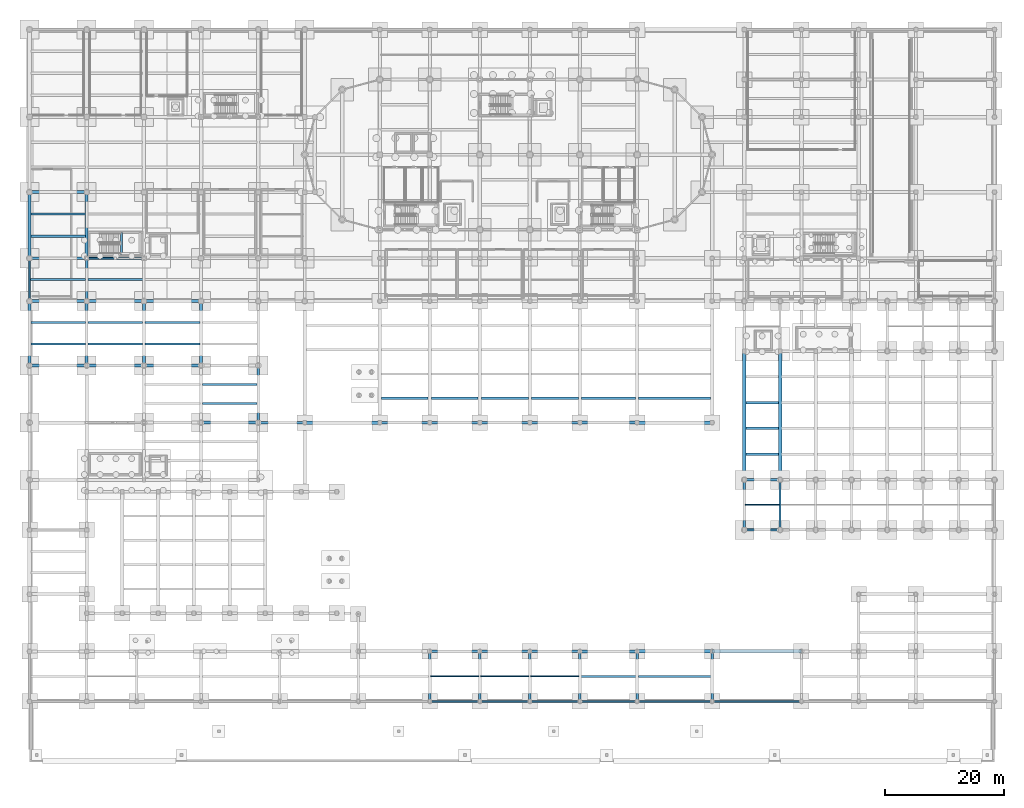
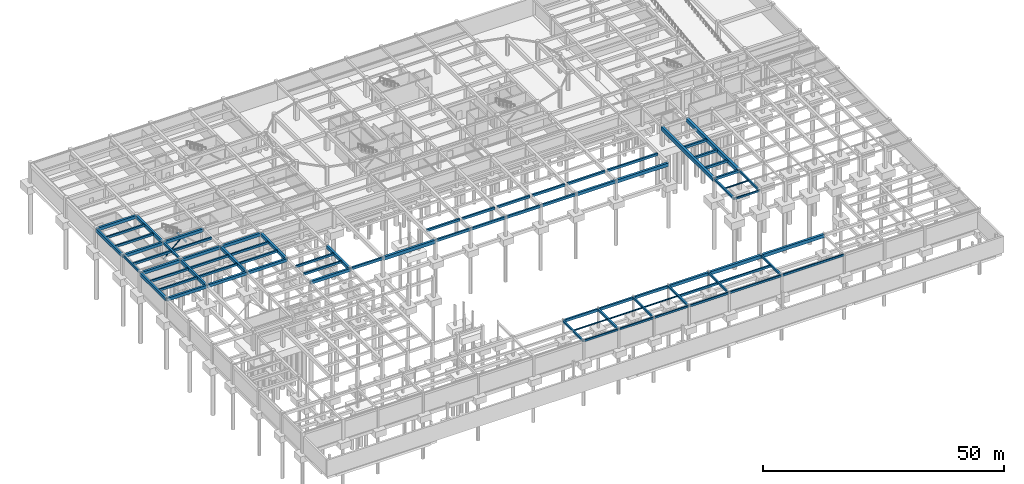
# One storey, part 14 of 37: 79 beams, 1 member.
"""IFC4 building model written with IfcOpenShell, lengths in metres."""

from ifc_helpers import new_model, si_unit, direction, frame, origin, origin_2d, place, context, subcontext, project, spatial, rectangle, hollow_rectangle, i_section, extrude, material, material_profile, profile_set, type_object, element, save


model = new_model("IFC4")

# Units and contexts
model_context = context("Model", 3, precision=1e-05, world=origin(), true_north=direction((0.0, 1.0)))
body_context = subcontext(model_context, "Body", "Model", "MODEL_VIEW")
ifc_project = project(units=[si_unit("LENGTHUNIT", "METRE"), si_unit("AREAUNIT", "SQUARE_METRE"), si_unit("VOLUMEUNIT", "CUBIC_METRE"), si_unit("PLANEANGLEUNIT", "RADIAN"), si_unit("MASSUNIT", "GRAM", prefix="KILO")], contexts=[model_context])

# Site, building, storey
site_placement = place(None, origin())
site = spatial("IfcSite", under=ifc_project, at=site_placement, CompositionType="ELEMENT")
building_placement = place(site_placement, origin())
building = spatial("IfcBuilding", under=site, at=building_placement, Name="Tarnavel Promenade Courthouse", CompositionType="ELEMENT")
storey_placement = place(building_placement, frame((0.0, 0.0, -4.800048828125)))
storey = spatial("IfcBuildingStorey", under=building, at=storey_placement, Name="B01", CompositionType="ELEMENT", Elevation=-4.800048828125)

# Beams
ifc_material_1 = material(Name="Concrete C40/50", Category="concrete")
ifc_material_profile_1 = material_profile(ifc_material_1, rectangle(XDim=0.35009765625, YDim=0.550048828125, at=origin_2d()), Name="PT 350x550")
ifc_profile_set_1 = profile_set([ifc_material_profile_1], Name="Concrete C40/50")
beam_type_1 = type_object("IfcBeamType", Name="Concrete C40/50 BM-PT-350x550 (PT 350x550)", PredefinedType="JOIST", material=ifc_profile_set_1)
beam_1_placement = place(storey_placement, frame((92.570068359375, 4.199951171875, 4.195068359375), z_axis=(1.0, 0.0, 0.0), x_axis=(0.0, 1.0, 0.0)))
element("IfcBeam", 1, at=beam_1_placement, inside=storey, type_object=beam_type_1, Name="B01 Secondary Floor Rib 0363", PredefinedType="JOIST", context=body_context, shape_type="SweptSolid", body=[
    extrude(rectangle(XDim=0.35009765625, YDim=0.550048828125, at=origin_2d()), origin(), (0.0, 0.0, 1.0), 9.260009765625),
])
beam_2_placement = place(storey_placement, frame((102.169921875, 4.199951171875, 4.195068359375), z_axis=(1.0, 0.0, 0.0), x_axis=(0.0, 1.0, 0.0)))
element("IfcBeam", 2, at=beam_2_placement, inside=storey, type_object=beam_type_1, Name="B01 Secondary Floor Rib 0364", PredefinedType="JOIST", context=body_context, shape_type="SweptSolid", body=[
    extrude(rectangle(XDim=0.35009765625, YDim=0.550048828125, at=origin_2d()), origin(), (0.0, 0.0, 1.0), 12.260009765625),
])
for number, where, z_axis, x_axis, name in (
    (3, (29.02001953125, 50.0, 4.179931640625), (1.0, 0.0, 0.0), (0.0, 1.0, 0.0), "B01 Secondary Floor Rib 0387"),
    (4, (29.02001953125, 53.199951171875, 4.179931640625), (1.0, 0.0, 0.0), (0.0, 1.0, 0.0), "B01 Secondary Floor Rib 0388"),
    (5, (0.219970703125, 60.0, 4.179931640625), (1.0, 0.0, 0.0), (0.0, 1.0, 0.0), "B01 Secondary Floor Rib 0389"),
    (6, (0.219970703125, 63.60009765625, 4.179931640625), (1.0, 0.0, 0.0), (0.0, 1.0, 0.0), "B01 Secondary Floor Rib 0390"),
    (7, (9.820068359375, 60.0, 4.179931640625), (1.0, 0.0, 0.0), (0.0, 1.0, 0.0), "B01 Secondary Floor Rib 0391"),
    (8, (9.820068359375, 63.60009765625, 4.179931640625), (1.0, 0.0, 0.0), (0.0, 1.0, 0.0), "B01 Secondary Floor Rib 0392"),
):
    element("IfcBeam", number, at=place(storey_placement, frame(where, z_axis=z_axis, x_axis=x_axis)), inside=storey, type_object=beam_type_1, Name=name, PredefinedType="JOIST", context=body_context, shape_type="SweptSolid", body=[
        extrude(rectangle(XDim=0.35009765625, YDim=0.550048828125, at=origin_2d()), origin(), (0.0, 0.0, 1.0), 9.159912109375),
    ])
for number, where, z_axis, x_axis, name in (
    (9, (19.419921875, 60.0, 4.179931640625), (1.0, 0.0, 0.0), (0.0, 1.0, 0.0), "B01 Secondary Floor Rib 0393"),
    (10, (19.419921875, 63.60009765625, 4.179931640625), (1.0, 0.0, 0.0), (0.0, 1.0, 0.0), "B01 Secondary Floor Rib 0394"),
):
    element("IfcBeam", number, at=place(storey_placement, frame(where, z_axis=z_axis, x_axis=x_axis)), inside=storey, type_object=beam_type_1, Name=name, PredefinedType="JOIST", context=body_context, shape_type="SweptSolid", body=[
        extrude(rectangle(XDim=0.35009765625, YDim=0.550048828125, at=origin_2d()), origin(), (0.0, 0.0, 1.0), 9.16015625),
    ])
beam_3_placement = place(storey_placement, frame((0.1201171875, 70.800048828125, 4.239990234375), z_axis=(1.0, 0.0, 0.0), x_axis=(0.0, 1.0, 0.0)))
element("IfcBeam", 11, at=beam_3_placement, inside=storey, type_object=beam_type_1, Name="B01 Secondary Floor Rib 0397", PredefinedType="JOIST", context=body_context, shape_type="SweptSolid", body=[
    extrude(rectangle(XDim=0.35009765625, YDim=0.550048828125, at=origin_2d()), origin(), (0.0, 0.0, 1.0), 9.309814453125),
])
beam_4_placement = place(storey_placement, frame((9.77001953125, 70.800048828125, 4.239990234375), z_axis=(1.0, 0.0, 0.0), x_axis=(0.0, 1.0, 0.0)))
element("IfcBeam", 12, at=beam_4_placement, inside=storey, type_object=beam_type_1, Name="B01 Secondary Floor Rib 0398", PredefinedType="JOIST", context=body_context, shape_type="SweptSolid", body=[
    extrude(rectangle(XDim=0.35009765625, YDim=0.550048828125, at=origin_2d()), origin(), (0.0, 0.0, 1.0), 9.260009765625),
])
for number, where, z_axis, x_axis, name in (
    (13, (0.219970703125, 78.10009765625, 4.239990234375), (1.0, 0.0, 0.0), (0.0, 1.0, 0.0), "B01 Secondary Floor Rib 0414"),
    (14, (0.219970703125, 81.800048828125, 4.239990234375), (1.0, 0.0, 0.0), (0.0, 1.0, 0.0), "B01 Secondary Floor Rib 0415"),
):
    element("IfcBeam", number, at=place(storey_placement, frame(where, z_axis=z_axis, x_axis=x_axis)), inside=storey, type_object=beam_type_1, Name=name, PredefinedType="JOIST", context=body_context, shape_type="SweptSolid", body=[
        extrude(rectangle(XDim=0.35009765625, YDim=0.550048828125, at=origin_2d()), origin(), (0.0, 0.0, 1.0), 9.159912109375),
    ])
ifc_material_profile_2 = material_profile(ifc_material_1, rectangle(XDim=0.39990234375, YDim=0.60009765625, at=origin_2d()), Name="PT 400x600")
ifc_profile_set_2 = profile_set([ifc_material_profile_2], Name="Concrete C40/50")
beam_type_2 = type_object("IfcBeamType", Name="Concrete C40/50 BM-PT-400x600 (PT 400x600)", PredefinedType="JOIST", material=ifc_profile_set_2)
beam_5_placement = place(storey_placement, frame((59.070068359375, 50.8798828125, 4.215087890625), z_axis=(1.0, 0.0, 0.0), x_axis=(0.0, 1.0, 0.0)))
element("IfcBeam", 15, at=beam_5_placement, inside=storey, type_object=beam_type_2, Name="B01 Secondary Floor Rib 0472", PredefinedType="JOIST", context=body_context, shape_type="SweptSolid", body=[
    extrude(rectangle(XDim=0.39990234375, YDim=0.60009765625, at=origin_2d()), origin(), (0.0, 0.0, 1.0), 7.85986328125),
])
beam_6_placement = place(storey_placement, frame((67.469970703125, 50.8798828125, 4.215087890625), z_axis=(1.0, 0.0, 0.0), x_axis=(0.0, 1.0, 0.0)))
element("IfcBeam", 16, at=beam_6_placement, inside=storey, type_object=beam_type_2, Name="B01 Secondary Floor Rib 0476", PredefinedType="JOIST", context=body_context, shape_type="SweptSolid", body=[
    extrude(rectangle(XDim=0.39990234375, YDim=0.60009765625, at=origin_2d()), origin(), (0.0, 0.0, 1.0), 7.860107421875),
])
for number, where, z_axis, x_axis, name in (
    (17, (75.8701171875, 50.8798828125, 4.215087890625), (1.0, 0.0, 0.0), (0.0, 1.0, 0.0), "B01 Secondary Floor Rib 0480"),
    (18, (84.27001953125, 50.8798828125, 4.215087890625), (1.0, 0.0, 0.0), (0.0, 1.0, 0.0), "B01 Secondary Floor Rib 0484"),
):
    element("IfcBeam", number, at=place(storey_placement, frame(where, z_axis=z_axis, x_axis=x_axis)), inside=storey, type_object=beam_type_2, Name=name, PredefinedType="JOIST", context=body_context, shape_type="SweptSolid", body=[
        extrude(rectangle(XDim=0.39990234375, YDim=0.60009765625, at=origin_2d()), origin(), (0.0, 0.0, 1.0), 7.85986328125),
    ])
beam_7_placement = place(storey_placement, frame((92.669921875, 50.8798828125, 4.215087890625), z_axis=(1.0, 0.0, 0.0), x_axis=(0.0, 1.0, 0.0)))
element("IfcBeam", 19, at=beam_7_placement, inside=storey, type_object=beam_type_2, Name="B01 Secondary Floor Rib 0488", PredefinedType="JOIST", context=body_context, shape_type="SweptSolid", body=[
    extrude(rectangle(XDim=0.39990234375, YDim=0.60009765625, at=origin_2d()), origin(), (0.0, 0.0, 1.0), 9.06005859375),
])
beam_8_placement = place(storey_placement, frame((102.27001953125, 50.8798828125, 4.215087890625), z_axis=(1.0, 0.0, 0.0), x_axis=(0.0, 1.0, 0.0)))
element("IfcBeam", 20, at=beam_8_placement, inside=storey, type_object=beam_type_2, Name="B01 Secondary Floor Rib 0492", PredefinedType="JOIST", context=body_context, shape_type="SweptSolid", body=[
    extrude(rectangle(XDim=0.39990234375, YDim=0.60009765625, at=origin_2d()), origin(), (0.0, 0.0, 1.0), 12.06005859375),
])
for number, where, z_axis, x_axis, name in (
    (21, (120.27001953125, 41.52001953125, 4.215087890625), (1.0, 0.0, 0.0), (0.0, 1.0, 0.0), "B01 Secondary Floor Rib 0512"),
    (22, (120.27001953125, 45.840087890625, 4.215087890625), (1.0, 0.0, 0.0), (0.0, 1.0, 0.0), "B01 Secondary Floor Rib 0513"),
    (23, (120.27001953125, 50.159912109375, 4.215087890625), (1.0, 0.0, 0.0), (0.0, 1.0, 0.0), "B01 Secondary Floor Rib 0514"),
):
    element("IfcBeam", number, at=place(storey_placement, frame(where, z_axis=z_axis, x_axis=x_axis)), inside=storey, type_object=beam_type_2, Name=name, PredefinedType="JOIST", context=body_context, shape_type="SweptSolid", body=[
        extrude(rectangle(XDim=0.39990234375, YDim=0.60009765625, at=origin_2d()), origin(), (0.0, 0.0, 1.0), 5.4599609375),
    ])
ifc_material_profile_3 = material_profile(ifc_material_1, rectangle(XDim=0.5, YDim=0.800048828125, at=origin_2d()), Name="PT 500x800")
ifc_profile_set_3 = profile_set([ifc_material_profile_3], Name="Concrete C40/50")
beam_type_3 = type_object("IfcBeamType", Name="Concrete C40/50 BM-PT-500x800 (PT 500x800)", PredefinedType="T_BEAM", material=ifc_profile_set_3)
beam_9_placement = place(storey_placement, frame((0.0, 56.39990234375, 4.054931640625), z_axis=(0.0, 1.0, 0.0), x_axis=(-1.0, 0.0, 0.0)))
element("IfcBeam", 24, at=beam_9_placement, inside=storey, type_object=beam_type_3, Name="B01 Transverse Girder 0193", PredefinedType="T_BEAM", context=body_context, shape_type="SweptSolid", body=[
    extrude(rectangle(XDim=0.5, YDim=0.800048828125, at=origin_2d()), origin(), (0.0, 0.0, 1.0), 10.800048828125),
])
beam_10_placement = place(storey_placement, frame((0.0, 74.39990234375, 4.114990234375), z_axis=(0.0, 1.0, 0.0), x_axis=(-1.0, 0.0, 0.0)))
element("IfcBeam", 25, at=beam_10_placement, inside=storey, type_object=beam_type_3, Name="B01 Transverse Girder 0195", PredefinedType="T_BEAM", context=body_context, shape_type="SweptSolid", body=[
    extrude(rectangle(XDim=0.5, YDim=0.800048828125, at=origin_2d()), origin(), (0.0, 0.0, 1.0), 11.10009765625),
])
beam_11_placement = place(storey_placement, frame((9.60009765625, 56.39990234375, 4.054931640625), z_axis=(0.0, 1.0, 0.0), x_axis=(-1.0, 0.0, 0.0)))
element("IfcBeam", 26, at=beam_11_placement, inside=storey, type_object=beam_type_3, Name="B01 Transverse Girder 0205", PredefinedType="T_BEAM", context=body_context, shape_type="SweptSolid", body=[
    extrude(rectangle(XDim=0.5, YDim=0.800048828125, at=origin_2d()), origin(), (0.0, 0.0, 1.0), 10.800048828125),
])
beam_12_placement = place(storey_placement, frame((9.60009765625, 74.39990234375, 4.114990234375), z_axis=(0.0, 1.0, 0.0), x_axis=(-1.0, 0.0, 0.0)))
element("IfcBeam", 27, at=beam_12_placement, inside=storey, type_object=beam_type_3, Name="B01 Transverse Girder 0207", PredefinedType="T_BEAM", context=body_context, shape_type="SweptSolid", body=[
    extrude(rectangle(XDim=0.5, YDim=0.800048828125, at=origin_2d()), origin(), (0.0, 0.0, 1.0), 11.10009765625),
])
for number, where, z_axis, x_axis, name in (
    (28, (19.199951171875, 56.39990234375, 4.054931640625), (0.0, 1.0, 0.0), (-1.0, 0.0, 0.0), "B01 Transverse Girder 0214"),
    (29, (28.800048828125, 56.39990234375, 4.054931640625), (0.0, 1.0, 0.0), (-1.0, 0.0, 0.0), "B01 Transverse Girder 0224"),
):
    element("IfcBeam", number, at=place(storey_placement, frame(where, z_axis=z_axis, x_axis=x_axis)), inside=storey, type_object=beam_type_3, Name=name, PredefinedType="T_BEAM", context=body_context, shape_type="SweptSolid", body=[
        extrude(rectangle(XDim=0.5, YDim=0.800048828125, at=origin_2d()), origin(), (0.0, 0.0, 1.0), 10.800048828125),
    ])
beam_13_placement = place(storey_placement, frame((38.39990234375, 46.800048828125, 4.054931640625), z_axis=(0.0, 1.0, 0.0), x_axis=(-1.0, 0.0, 0.0)))
element("IfcBeam", 30, at=beam_13_placement, inside=storey, type_object=beam_type_3, Name="B01 Transverse Girder 0231", PredefinedType="T_BEAM", context=body_context, shape_type="SweptSolid", body=[
    extrude(rectangle(XDim=0.5, YDim=0.800048828125, at=origin_2d()), origin(), (0.0, 0.0, 1.0), 9.599853515625),
])
ifc_material_profile_4 = material_profile(ifc_material_1, rectangle(XDim=0.550048828125, YDim=0.85009765625, at=origin_2d()), Name="PT 550x850")
ifc_profile_set_4 = profile_set([ifc_material_profile_4], Name="Concrete C40/50")
beam_type_4 = type_object("IfcBeamType", Name="Concrete C40/50 BM-PT-550x850 (PT 550x850)", PredefinedType="T_BEAM", material=ifc_profile_set_4)
beam_14_placement = place(storey_placement, frame((102.0, 8.39990234375, 4.045166015625), z_axis=(1.0, 0.0, 0.0), x_axis=(0.0, 1.0, 0.0)))
element("IfcBeam", 31, at=beam_14_placement, inside=storey, type_object=beam_type_4, Name="B01 Primary Longitudinal Beam 0027", PredefinedType="T_BEAM", context=body_context, shape_type="SweptSolid", body=[
    extrude(rectangle(XDim=0.550048828125, YDim=0.85009765625, at=origin_2d()), origin(), (0.0, 0.0, 1.0), 12.60009765625),
])
beam_15_placement = place(storey_placement, frame((114.60009765625, 8.39990234375, 4.045166015625), z_axis=(1.0, 0.0, 0.0), x_axis=(0.0, 1.0, 0.0)))
element("IfcBeam", 32, at=beam_15_placement, inside=storey, type_object=beam_type_4, Name="B01 Primary Longitudinal Beam 0028", PredefinedType="T_BEAM", context=body_context, shape_type="SweptSolid", body=[
    extrude(rectangle(XDim=0.550048828125, YDim=0.85009765625, at=origin_2d()), origin(), (0.0, 0.0, 1.0), 15.0),
])
for number, where, z_axis, x_axis, name in (
    (33, (46.199951171875, 46.800048828125, 4.090087890625), (1.0, 0.0, 0.0), (0.0, 1.0, 0.0), "B01 Primary Longitudinal Beam 0071"),
    (34, (102.0, 46.800048828125, 4.090087890625), (1.0, 0.0, 0.0), (0.0, 1.0, 0.0), "B01 Primary Longitudinal Beam 0077"),
):
    element("IfcBeam", number, at=place(storey_placement, frame(where, z_axis=z_axis, x_axis=x_axis)), inside=storey, type_object=beam_type_4, Name=name, PredefinedType="T_BEAM", context=body_context, shape_type="SweptSolid", body=[
        extrude(rectangle(XDim=0.550048828125, YDim=0.85009765625, at=origin_2d()), origin(), (0.0, 0.0, 1.0), 12.60009765625),
    ])
ifc_material_profile_5 = material_profile(ifc_material_1, rectangle(XDim=0.60009765625, YDim=0.949951171875, at=origin_2d()), Name="PT 600x950")
ifc_profile_set_5 = profile_set([ifc_material_profile_5], Name="Concrete C40/50")
beam_type_5 = type_object("IfcBeamType", Name="Concrete C40/50 BM-PT-600x950 (PT 600x950)", PredefinedType="T_BEAM", material=ifc_profile_set_5)
for number, where, z_axis, x_axis, name in (
    (35, (120.0, 37.199951171875, 4.0400390625), (0.0, 1.0, 0.0), (-1.0, 0.0, 0.0), "B01 Transverse Girder 0298"),
    (36, (126.0, 37.199951171875, 4.0400390625), (0.0, 1.0, 0.0), (-1.0, 0.0, 0.0), "B01 Transverse Girder 0306"),
):
    element("IfcBeam", number, at=place(storey_placement, frame(where, z_axis=z_axis, x_axis=x_axis)), inside=storey, type_object=beam_type_5, Name=name, PredefinedType="T_BEAM", context=body_context, shape_type="SweptSolid", body=[
        extrude(rectangle(XDim=0.60009765625, YDim=0.949951171875, at=origin_2d()), origin(), (0.0, 0.0, 1.0), 21.60009765625),
    ])
ifc_material_profile_6 = material_profile(ifc_material_1, rectangle(XDim=0.35009765625, YDim=0.449951171875, at=origin_2d()), Name="RC 350x450")
ifc_profile_set_6 = profile_set([ifc_material_profile_6], Name="Concrete C40/50")
beam_type_6 = type_object("IfcBeamType", Name="Concrete C40/50 BM-RC-350x450 (RC 350x450)", PredefinedType="BEAM", material=ifc_profile_set_6)
beam_16_placement = place(storey_placement, frame((15.43994140625, 75.02001953125, 1.969970703125), z_axis=(0.0, 1.0, 0.0), x_axis=(-1.0, 0.0, 0.0)))
element("IfcBeam", 37, at=beam_16_placement, inside=storey, type_object=beam_type_6, Name="B01 ST-04 Mid-Landing Support Beam Near", PredefinedType="BEAM", context=body_context, shape_type="SweptSolid", body=[
    extrude(rectangle(XDim=0.35009765625, YDim=0.449951171875, at=origin_2d()), origin(), (0.0, 0.0, 1.0), 3.719970703125),
])
ifc_material_profile_7 = material_profile(ifc_material_1, rectangle(XDim=0.39990234375, YDim=0.5, at=origin_2d()), Name="RC 400x500")
ifc_profile_set_7 = profile_set([ifc_material_profile_7], Name="Concrete C40/50")
beam_type_7 = type_object("IfcBeamType", Name="Concrete C40/50 BM-RC-400x500 (RC 400x500)", PredefinedType="BEAM", material=ifc_profile_set_7)
beam_17_placement = place(storey_placement, frame((9.60009765625, 67.199951171875, 4.26513671875), z_axis=(0.0, 1.0, 0.0), x_axis=(-1.0, 0.0, 0.0)))
element("IfcBeam", 38, at=beam_17_placement, inside=storey, type_object=beam_type_7, Name="B01 Transverse Girder 0206", PredefinedType="BEAM", context=body_context, shape_type="SweptSolid", body=[
    extrude(rectangle(XDim=0.39990234375, YDim=0.5, at=origin_2d()), origin(), (0.0, 0.0, 1.0), 7.199951171875),
])
for number, where, z_axis, x_axis, name in (
    (39, (67.199951171875, 0.0, 4.219970703125), (0.0, 1.0, 0.0), (-1.0, 0.0, 0.0), "B01 Transverse Girder 0255"),
    (40, (75.60009765625, 0.0, 4.219970703125), (0.0, 1.0, 0.0), (-1.0, 0.0, 0.0), "B01 Transverse Girder 0262"),
    (41, (84.0, 0.0, 4.219970703125), (0.0, 1.0, 0.0), (-1.0, 0.0, 0.0), "B01 Transverse Girder 0269"),
    (42, (92.39990234375, 0.0, 4.219970703125), (0.0, 1.0, 0.0), (-1.0, 0.0, 0.0), "B01 Transverse Girder 0277"),
    (43, (102.0, 0.0, 4.219970703125), (0.0, 1.0, 0.0), (-1.0, 0.0, 0.0), "B01 Transverse Girder 0284"),
    (44, (114.60009765625, 0.0, 4.219970703125), (0.0, 1.0, 0.0), (-1.0, 0.0, 0.0), "B01 Transverse Girder 0293"),
    (45, (120.0, 28.800048828125, 4.219970703125), (0.0, 1.0, 0.0), (-1.0, 0.0, 0.0), "B01 Transverse Girder 0297"),
    (46, (126.0, 28.800048828125, 4.219970703125), (0.0, 1.0, 0.0), (-1.0, 0.0, 0.0), "B01 Transverse Girder 0305"),
):
    element("IfcBeam", number, at=place(storey_placement, frame(where, z_axis=z_axis, x_axis=x_axis)), inside=storey, type_object=beam_type_7, Name=name, PredefinedType="BEAM", context=body_context, shape_type="SweptSolid", body=[
        extrude(rectangle(XDim=0.39990234375, YDim=0.5, at=origin_2d()), origin(), (0.0, 0.0, 1.0), 8.39990234375),
    ])
ifc_material_profile_8 = material_profile(ifc_material_1, rectangle(XDim=0.39990234375, YDim=0.64990234375, at=origin_2d()), Name="RC 400x650")
ifc_profile_set_8 = profile_set([ifc_material_profile_8], Name="Concrete C40/50")
beam_type_8 = type_object("IfcBeamType", Name="Concrete C40/50 BM-RC-400x650 (RC 400x650)", PredefinedType="BEAM", material=ifc_profile_set_8)
beam_18_placement = place(storey_placement, frame((67.199951171875, 8.39990234375, 4.14501953125), z_axis=(1.0, 0.0, 0.0), x_axis=(0.0, 1.0, 0.0)))
element("IfcBeam", 47, at=beam_18_placement, inside=storey, type_object=beam_type_8, Name="B01 Primary Longitudinal Beam 0023", PredefinedType="BEAM", context=body_context, shape_type="SweptSolid", body=[
    extrude(rectangle(XDim=0.39990234375, YDim=0.64990234375, at=origin_2d()), origin(), (0.0, 0.0, 1.0), 8.400146484375),
])
for number, where, z_axis, x_axis, name in (
    (48, (75.60009765625, 8.39990234375, 4.14501953125), (1.0, 0.0, 0.0), (0.0, 1.0, 0.0), "B01 Primary Longitudinal Beam 0024"),
    (49, (84.0, 8.39990234375, 4.14501953125), (1.0, 0.0, 0.0), (0.0, 1.0, 0.0), "B01 Primary Longitudinal Beam 0025"),
):
    element("IfcBeam", number, at=place(storey_placement, frame(where, z_axis=z_axis, x_axis=x_axis)), inside=storey, type_object=beam_type_8, Name=name, PredefinedType="BEAM", context=body_context, shape_type="SweptSolid", body=[
        extrude(rectangle(XDim=0.39990234375, YDim=0.64990234375, at=origin_2d()), origin(), (0.0, 0.0, 1.0), 8.39990234375),
    ])
beam_19_placement = place(storey_placement, frame((120.0, 37.199951171875, 4.18994140625), z_axis=(1.0, 0.0, 0.0), x_axis=(0.0, 1.0, 0.0)))
element("IfcBeam", 50, at=beam_19_placement, inside=storey, type_object=beam_type_8, Name="B01 Primary Longitudinal Beam 0061", PredefinedType="BEAM", context=body_context, shape_type="SweptSolid", body=[
    extrude(rectangle(XDim=0.39990234375, YDim=0.64990234375, at=origin_2d()), origin(), (0.0, 0.0, 1.0), 6.0),
])
beam_20_placement = place(storey_placement, frame((38.39990234375, 46.800048828125, 4.18994140625), z_axis=(1.0, 0.0, 0.0), x_axis=(0.0, 1.0, 0.0)))
element("IfcBeam", 51, at=beam_20_placement, inside=storey, type_object=beam_type_8, Name="B01 Primary Longitudinal Beam 0070", PredefinedType="BEAM", context=body_context, shape_type="SweptSolid", body=[
    extrude(rectangle(XDim=0.39990234375, YDim=0.64990234375, at=origin_2d()), origin(), (0.0, 0.0, 1.0), 7.800048828125),
])
beam_21_placement = place(storey_placement, frame((58.800048828125, 46.800048828125, 4.18994140625), z_axis=(1.0, 0.0, 0.0), x_axis=(0.0, 1.0, 0.0)))
element("IfcBeam", 52, at=beam_21_placement, inside=storey, type_object=beam_type_8, Name="B01 Primary Longitudinal Beam 0072", PredefinedType="BEAM", context=body_context, shape_type="SweptSolid", body=[
    extrude(rectangle(XDim=0.39990234375, YDim=0.64990234375, at=origin_2d()), origin(), (0.0, 0.0, 1.0), 8.39990234375),
])
beam_22_placement = place(storey_placement, frame((67.199951171875, 46.800048828125, 4.18994140625), z_axis=(1.0, 0.0, 0.0), x_axis=(0.0, 1.0, 0.0)))
element("IfcBeam", 53, at=beam_22_placement, inside=storey, type_object=beam_type_8, Name="B01 Primary Longitudinal Beam 0073", PredefinedType="BEAM", context=body_context, shape_type="SweptSolid", body=[
    extrude(rectangle(XDim=0.39990234375, YDim=0.64990234375, at=origin_2d()), origin(), (0.0, 0.0, 1.0), 8.400146484375),
])
for number, where, z_axis, x_axis, name in (
    (54, (75.60009765625, 46.800048828125, 4.18994140625), (1.0, 0.0, 0.0), (0.0, 1.0, 0.0), "B01 Primary Longitudinal Beam 0074"),
    (55, (84.0, 46.800048828125, 4.18994140625), (1.0, 0.0, 0.0), (0.0, 1.0, 0.0), "B01 Primary Longitudinal Beam 0075"),
):
    element("IfcBeam", number, at=place(storey_placement, frame(where, z_axis=z_axis, x_axis=x_axis)), inside=storey, type_object=beam_type_8, Name=name, PredefinedType="BEAM", context=body_context, shape_type="SweptSolid", body=[
        extrude(rectangle(XDim=0.39990234375, YDim=0.64990234375, at=origin_2d()), origin(), (0.0, 0.0, 1.0), 8.39990234375),
    ])
ifc_material_profile_9 = material_profile(ifc_material_1, rectangle(XDim=0.5, YDim=0.75, at=origin_2d()), Name="RC 500x750")
ifc_profile_set_9 = profile_set([ifc_material_profile_9], Name="Concrete C40/50")
beam_type_9 = type_object("IfcBeamType", Name="Concrete C40/50 BM-RC-500x750 (RC 500x750)", PredefinedType="T_BEAM", material=ifc_profile_set_9)
beam_23_placement = place(storey_placement, frame((92.39990234375, 8.39990234375, 4.094970703125), z_axis=(1.0, 0.0, 0.0), x_axis=(0.0, 1.0, 0.0)))
element("IfcBeam", 56, at=beam_23_placement, inside=storey, type_object=beam_type_9, Name="B01 Primary Longitudinal Beam 0026", PredefinedType="T_BEAM", context=body_context, shape_type="SweptSolid", body=[
    extrude(rectangle(XDim=0.5, YDim=0.75, at=origin_2d()), origin(), (0.0, 0.0, 1.0), 9.60009765625),
])
beam_24_placement = place(storey_placement, frame((28.800048828125, 46.800048828125, 4.080078125), z_axis=(1.0, 0.0, 0.0), x_axis=(0.0, 1.0, 0.0)))
element("IfcBeam", 57, at=beam_24_placement, inside=storey, type_object=beam_type_9, Name="B01 Primary Longitudinal Beam 0069", PredefinedType="T_BEAM", context=body_context, shape_type="SweptSolid", body=[
    extrude(rectangle(XDim=0.5, YDim=0.75, at=origin_2d()), origin(), (0.0, 0.0, 1.0), 9.599853515625),
])
for number, where, z_axis, x_axis, name in (
    (58, (92.39990234375, 46.800048828125, 4.14013671875), (1.0, 0.0, 0.0), (0.0, 1.0, 0.0), "B01 Primary Longitudinal Beam 0076"),
    (59, (0.0, 56.39990234375, 4.080078125), (1.0, 0.0, 0.0), (0.0, 1.0, 0.0), "B01 Primary Longitudinal Beam 0078"),
):
    element("IfcBeam", number, at=place(storey_placement, frame(where, z_axis=z_axis, x_axis=x_axis)), inside=storey, type_object=beam_type_9, Name=name, PredefinedType="T_BEAM", context=body_context, shape_type="SweptSolid", body=[
        extrude(rectangle(XDim=0.5, YDim=0.75, at=origin_2d()), origin(), (0.0, 0.0, 1.0), 9.60009765625),
    ])
beam_25_placement = place(storey_placement, frame((9.60009765625, 56.39990234375, 4.080078125), z_axis=(1.0, 0.0, 0.0), x_axis=(0.0, 1.0, 0.0)))
element("IfcBeam", 60, at=beam_25_placement, inside=storey, type_object=beam_type_9, Name="B01 Primary Longitudinal Beam 0079", PredefinedType="T_BEAM", context=body_context, shape_type="SweptSolid", body=[
    extrude(rectangle(XDim=0.5, YDim=0.75, at=origin_2d()), origin(), (0.0, 0.0, 1.0), 9.599853515625),
])
for number, where, z_axis, x_axis, name in (
    (61, (19.199951171875, 56.39990234375, 4.080078125), (1.0, 0.0, 0.0), (0.0, 1.0, 0.0), "B01 Primary Longitudinal Beam 0080"),
    (62, (0.0, 67.199951171875, 4.080078125), (1.0, 0.0, 0.0), (0.0, 1.0, 0.0), "B01 Primary Longitudinal Beam 0089"),
):
    element("IfcBeam", number, at=place(storey_placement, frame(where, z_axis=z_axis, x_axis=x_axis)), inside=storey, type_object=beam_type_9, Name=name, PredefinedType="T_BEAM", context=body_context, shape_type="SweptSolid", body=[
        extrude(rectangle(XDim=0.5, YDim=0.75, at=origin_2d()), origin(), (0.0, 0.0, 1.0), 9.60009765625),
    ])
beam_26_placement = place(storey_placement, frame((9.60009765625, 67.199951171875, 4.080078125), z_axis=(1.0, 0.0, 0.0), x_axis=(0.0, 1.0, 0.0)))
element("IfcBeam", 63, at=beam_26_placement, inside=storey, type_object=beam_type_9, Name="B01 Primary Longitudinal Beam 0090", PredefinedType="T_BEAM", context=body_context, shape_type="SweptSolid", body=[
    extrude(rectangle(XDim=0.5, YDim=0.75, at=origin_2d()), origin(), (0.0, 0.0, 1.0), 9.599853515625),
])
for number, where, z_axis, x_axis, name in (
    (64, (19.199951171875, 67.199951171875, 4.080078125), (1.0, 0.0, 0.0), (0.0, 1.0, 0.0), "B01 Primary Longitudinal Beam 0091"),
    (65, (0.0, 74.39990234375, 4.14013671875), (1.0, 0.0, 0.0), (0.0, 1.0, 0.0), "B01 Primary Longitudinal Beam 0112"),
):
    element("IfcBeam", number, at=place(storey_placement, frame(where, z_axis=z_axis, x_axis=x_axis)), inside=storey, type_object=beam_type_9, Name=name, PredefinedType="T_BEAM", context=body_context, shape_type="SweptSolid", body=[
        extrude(rectangle(XDim=0.5, YDim=0.75, at=origin_2d()), origin(), (0.0, 0.0, 1.0), 9.60009765625),
    ])
beam_27_placement = place(storey_placement, frame((9.60009765625, 74.39990234375, 4.14013671875), z_axis=(1.0, 0.0, 0.0), x_axis=(0.0, 1.0, 0.0)))
element("IfcBeam", 66, at=beam_27_placement, inside=storey, type_object=beam_type_9, Name="B01 Primary Longitudinal Beam 0113", PredefinedType="T_BEAM", context=body_context, shape_type="SweptSolid", body=[
    extrude(rectangle(XDim=0.5, YDim=0.75, at=origin_2d()), origin(), (0.0, 0.0, 1.0), 9.599853515625),
])
beam_28_placement = place(storey_placement, frame((0.0, 85.5, 4.14013671875), z_axis=(1.0, 0.0, 0.0), x_axis=(0.0, 1.0, 0.0)))
element("IfcBeam", 67, at=beam_28_placement, inside=storey, type_object=beam_type_9, Name="B01 Primary Longitudinal Beam 0134", PredefinedType="T_BEAM", context=body_context, shape_type="SweptSolid", body=[
    extrude(rectangle(XDim=0.5, YDim=0.75, at=origin_2d()), origin(), (0.0, 0.0, 1.0), 9.60009765625),
])
ifc_material_profile_10 = material_profile(ifc_material_1, rectangle(XDim=0.300048828125, YDim=0.39990234375, at=origin_2d()), Name="RC 300x400")
ifc_profile_set_10 = profile_set([ifc_material_profile_10], Name="Concrete C40/50")
beam_type_10 = type_object("IfcBeamType", Name="Concrete C40/50 BM-SP-300x400 (RC 300x400)", PredefinedType="SPANDREL", material=ifc_profile_set_10)
beam_29_placement = place(storey_placement, frame((120.0, 28.800048828125, 4.27001953125), z_axis=(1.0, 0.0, 0.0), x_axis=(0.0, 1.0, 0.0)))
element("IfcBeam", 68, at=beam_29_placement, inside=storey, type_object=beam_type_10, Name="B01 Primary Longitudinal Beam 0043", PredefinedType="SPANDREL", context=body_context, shape_type="SweptSolid", body=[
    extrude(rectangle(XDim=0.300048828125, YDim=0.39990234375, at=origin_2d()), origin(), (0.0, 0.0, 1.0), 6.0),
])
ifc_material_profile_11 = material_profile(ifc_material_1, rectangle(XDim=0.300048828125, YDim=0.449951171875, at=origin_2d()), Name="RC 300x450")
ifc_profile_set_11 = profile_set([ifc_material_profile_11], Name="Concrete C40/50")
beam_type_11 = type_object("IfcBeamType", Name="Concrete C40/50 BM-SP-300x450 (RC 300x450)", PredefinedType="SPANDREL", material=ifc_profile_set_11)
beam_30_placement = place(storey_placement, frame((67.199951171875, 0.0, 4.2451171875), z_axis=(1.0, 0.0, 0.0), x_axis=(0.0, 1.0, 0.0)))
element("IfcBeam", 69, at=beam_30_placement, inside=storey, type_object=beam_type_11, Name="B01 Primary Longitudinal Beam 0007", PredefinedType="SPANDREL", context=body_context, shape_type="SweptSolid", body=[
    extrude(rectangle(XDim=0.300048828125, YDim=0.449951171875, at=origin_2d()), origin(), (0.0, 0.0, 1.0), 8.400146484375),
])
for number, where, z_axis, x_axis, name in (
    (70, (75.60009765625, 0.0, 4.2451171875), (1.0, 0.0, 0.0), (0.0, 1.0, 0.0), "B01 Primary Longitudinal Beam 0008"),
    (71, (84.0, 0.0, 4.2451171875), (1.0, 0.0, 0.0), (0.0, 1.0, 0.0), "B01 Primary Longitudinal Beam 0009"),
):
    element("IfcBeam", number, at=place(storey_placement, frame(where, z_axis=z_axis, x_axis=x_axis)), inside=storey, type_object=beam_type_11, Name=name, PredefinedType="SPANDREL", context=body_context, shape_type="SweptSolid", body=[
        extrude(rectangle(XDim=0.300048828125, YDim=0.449951171875, at=origin_2d()), origin(), (0.0, 0.0, 1.0), 8.39990234375),
    ])
ifc_material_profile_12 = material_profile(ifc_material_1, rectangle(XDim=0.300048828125, YDim=0.5, at=origin_2d()), Name="RC 300x500")
ifc_profile_set_12 = profile_set([ifc_material_profile_12], Name="Concrete C40/50")
beam_type_12 = type_object("IfcBeamType", Name="Concrete C40/50 BM-SP-300x500 (RC 300x500)", PredefinedType="SPANDREL", material=ifc_profile_set_12)
beam_31_placement = place(storey_placement, frame((92.39990234375, 0.0, 4.219970703125), z_axis=(1.0, 0.0, 0.0), x_axis=(0.0, 1.0, 0.0)))
element("IfcBeam", 72, at=beam_31_placement, inside=storey, type_object=beam_type_12, Name="B01 Primary Longitudinal Beam 0010", PredefinedType="SPANDREL", context=body_context, shape_type="SweptSolid", body=[
    extrude(rectangle(XDim=0.300048828125, YDim=0.5, at=origin_2d()), origin(), (0.0, 0.0, 1.0), 9.60009765625),
])
beam_32_placement = place(storey_placement, frame((102.0, 0.0, 4.219970703125), z_axis=(1.0, 0.0, 0.0), x_axis=(0.0, 1.0, 0.0)))
element("IfcBeam", 73, at=beam_32_placement, inside=storey, type_object=beam_type_12, Name="B01 Primary Longitudinal Beam 0011", PredefinedType="SPANDREL", context=body_context, shape_type="SweptSolid", body=[
    extrude(rectangle(XDim=0.300048828125, YDim=0.5, at=origin_2d()), origin(), (0.0, 0.0, 1.0), 12.60009765625),
])
beam_33_placement = place(storey_placement, frame((114.60009765625, 0.0, 4.219970703125), z_axis=(1.0, 0.0, 0.0), x_axis=(0.0, 1.0, 0.0)))
element("IfcBeam", 74, at=beam_33_placement, inside=storey, type_object=beam_type_12, Name="B01 Primary Longitudinal Beam 0012", PredefinedType="SPANDREL", context=body_context, shape_type="SweptSolid", body=[
    extrude(rectangle(XDim=0.300048828125, YDim=0.5, at=origin_2d()), origin(), (0.0, 0.0, 1.0), 15.0),
])
beam_34_placement = place(storey_placement, frame((0.0, 67.199951171875, 4.26513671875), z_axis=(0.0, 1.0, 0.0), x_axis=(-1.0, 0.0, 0.0)))
element("IfcBeam", 75, at=beam_34_placement, inside=storey, type_object=beam_type_12, Name="B01 Transverse Girder 0194", PredefinedType="SPANDREL", context=body_context, shape_type="SweptSolid", body=[
    extrude(rectangle(XDim=0.300048828125, YDim=0.5, at=origin_2d()), origin(), (0.0, 0.0, 1.0), 7.199951171875),
])
ifc_material_2 = material(Name="Steel S355J2", Category="steel")
ifc_material_profile_13 = material_profile(ifc_material_2, i_section(OverallWidth=0.159912109375, OverallDepth=0.330078125, WebThickness=0.007568359375, FlangeThickness=0.011474609375, FilletRadius=0.01806640625, at=origin_2d()), Name="IPE 330")
ifc_profile_set_13 = profile_set([ifc_material_profile_13], Name="Steel S355J2")
beam_type_13 = type_object("IfcBeamType", Name="Steel S355J2 BM-ST-IPE330 (IPE 330)", PredefinedType="JOIST", material=ifc_profile_set_13)
beam_35_placement = place(storey_placement, frame((67.3701171875, 4.199951171875, 4.304931640625), z_axis=(1.0, 0.0, 0.0), x_axis=(0.0, 1.0, 0.0)))
element("IfcBeam", 76, at=beam_35_placement, inside=storey, type_object=beam_type_13, Name="B01 Secondary Floor Rib 0360", PredefinedType="JOIST", context=body_context, shape_type="SweptSolid", body=[
    extrude(i_section(OverallWidth=0.159912109375, OverallDepth=0.330078125, WebThickness=0.007568359375, FlangeThickness=0.011474609375, FilletRadius=0.01806640625, at=origin_2d()), origin(), (0.0, 0.0, 1.0), 8.059814453125),
])
for number, where, z_axis, x_axis, name in (
    (77, (75.77001953125, 4.199951171875, 4.304931640625), (1.0, 0.0, 0.0), (0.0, 1.0, 0.0), "B01 Secondary Floor Rib 0361"),
    (78, (84.169921875, 4.199951171875, 4.304931640625), (1.0, 0.0, 0.0), (0.0, 1.0, 0.0), "B01 Secondary Floor Rib 0362"),
):
    element("IfcBeam", number, at=place(storey_placement, frame(where, z_axis=z_axis, x_axis=x_axis)), inside=storey, type_object=beam_type_13, Name=name, PredefinedType="JOIST", context=body_context, shape_type="SweptSolid", body=[
        extrude(i_section(OverallWidth=0.159912109375, OverallDepth=0.330078125, WebThickness=0.007568359375, FlangeThickness=0.011474609375, FilletRadius=0.01806640625, at=origin_2d()), origin(), (0.0, 0.0, 1.0), 8.06005859375),
    ])
beam_36_placement = place(storey_placement, frame((120.169921875, 33.0, 4.304931640625), z_axis=(1.0, 0.0, 0.0), x_axis=(0.0, 1.0, 0.0)))
element("IfcBeam", 79, at=beam_36_placement, inside=storey, type_object=beam_type_13, Name="B01 Secondary Floor Rib 0374", PredefinedType="JOIST", context=body_context, shape_type="SweptSolid", body=[
    extrude(i_section(OverallWidth=0.159912109375, OverallDepth=0.330078125, WebThickness=0.007568359375, FlangeThickness=0.011474609375, FilletRadius=0.01806640625, at=origin_2d()), origin(), (0.0, 0.0, 1.0), 5.66015625),
])

# Member
ifc_material_profile_14 = material_profile(ifc_material_2, hollow_rectangle(XDim=0.199951171875, YDim=0.199951171875, WallThickness=0.012451171875, InnerFilletRadius=0.012451171875, OuterFilletRadius=0.02490234375, at=origin_2d()), Name="SHS 200x200x12.5")
ifc_profile_set_14 = profile_set([ifc_material_profile_14], Name="Steel S355J2")
member_type = type_object("IfcMemberType", Name="Steel S355J2 MEM-BR-SHS200 (SHS 200x200x12.5)", PredefinedType="BRACE", material=ifc_profile_set_14)
member_placement = place(storey_placement, frame((9.60009765625, 74.39990234375, 0.0), z_axis=(0.74751419788, 0.0, 0.664245830975), x_axis=(0.0, 1.0, 0.0)))
element("IfcMember", 80, at=member_placement, inside=storey, type_object=member_type, Name="B01 V2 Chevron Brace A 028", PredefinedType="BRACE", context=body_context, shape_type="SweptSolid", body=[
    extrude(hollow_rectangle(XDim=0.199951171875, YDim=0.199951171875, WallThickness=0.012451171875, InnerFilletRadius=0.012451171875, OuterFilletRadius=0.02490234375, at=origin_2d()), origin(), (0.0, 0.0, 1.0), 6.421142578125),
])

save(model, "model.ifc")
